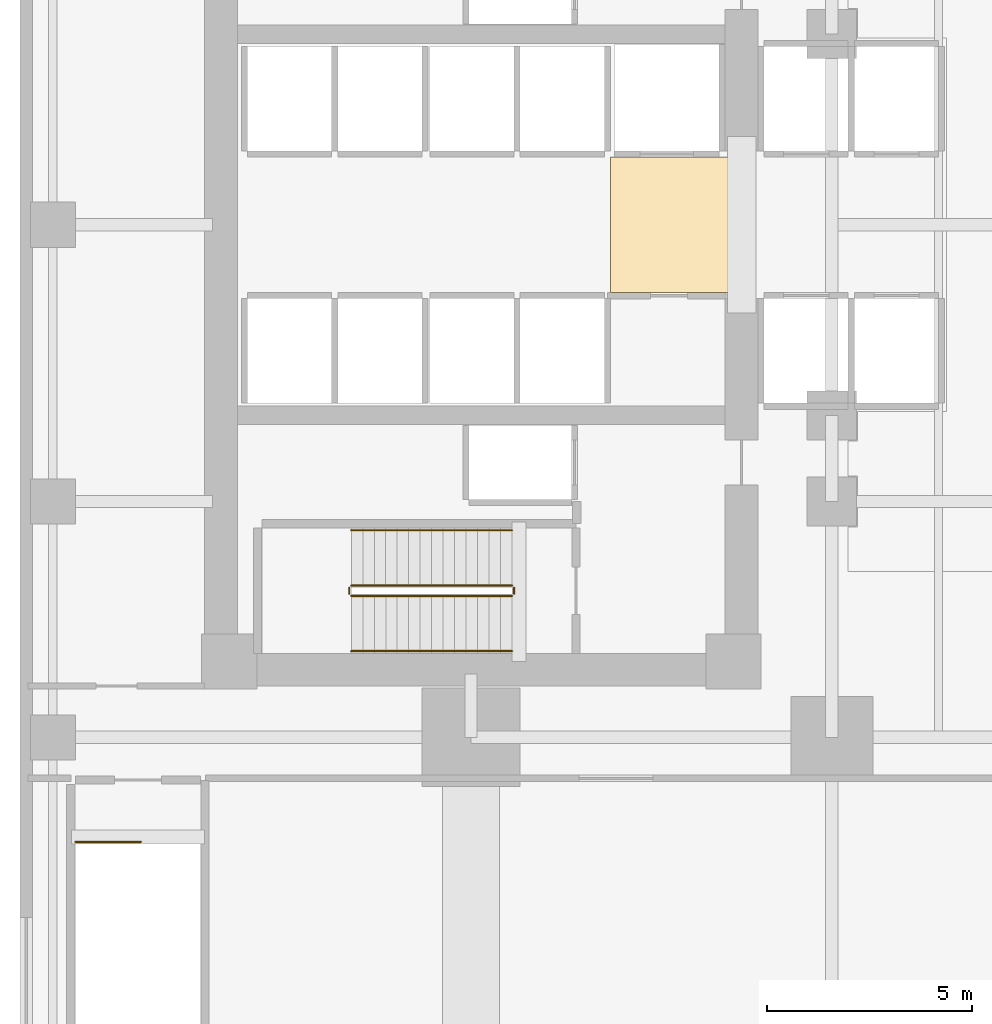
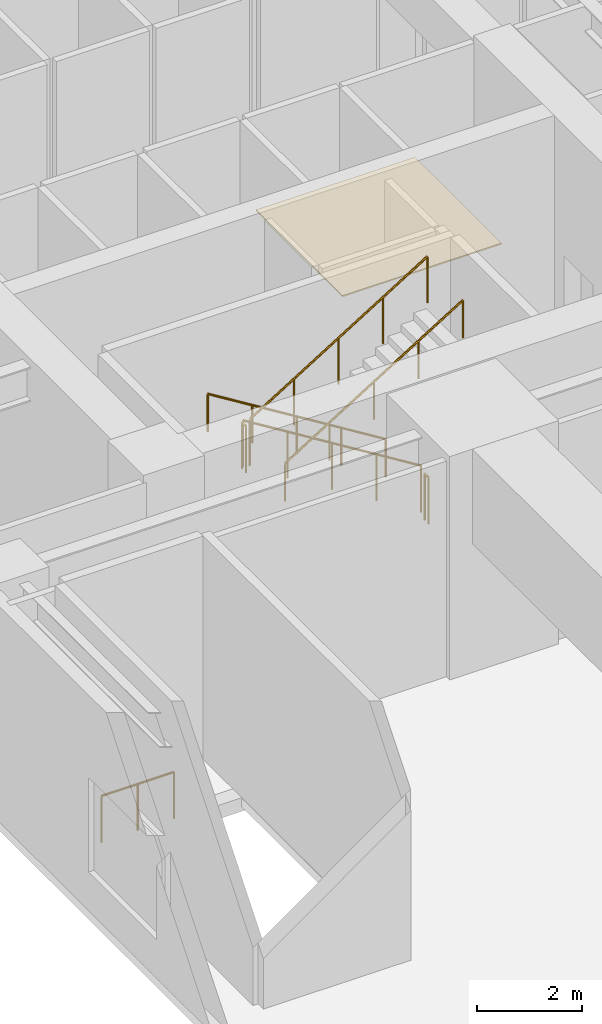
# One storey, part 11 of 14: 7 railings, 1 covering.
"""IFC4 building model written with IfcOpenShell, lengths in metres."""

from ifc_helpers import new_model, si_unit, direction, frame, origin, origin_2d, place, context, subcontext, project, spatial, polyline, circle, outline, extrude, material, layer, layer_set, type_object, element, save


model = new_model("IFC4")

# Units and contexts
model_context = context("Model", 3, precision=1e-05, world=origin(), true_north=direction((0.0, 1.0)))
body_context = subcontext(model_context, "Body", "Model", "MODEL_VIEW")
ifc_project = project(units=[si_unit("LENGTHUNIT", "METRE"), si_unit("AREAUNIT", "SQUARE_METRE"), si_unit("VOLUMEUNIT", "CUBIC_METRE"), si_unit("PLANEANGLEUNIT", "RADIAN"), si_unit("MASSUNIT", "GRAM", prefix="KILO")], contexts=[model_context])

# Site, building, storey
site_placement = place(None, origin())
site = spatial("IfcSite", under=ifc_project, at=site_placement, CompositionType="ELEMENT")
building_placement = place(site_placement, origin())
building = spatial("IfcBuilding", under=site, at=building_placement, Name="Kinhvarn Gate Tower", CompositionType="ELEMENT")
storey_placement = place(building_placement, frame((0.0, 0.0, 20.39990234375)))
storey = spatial("IfcBuildingStorey", under=building, at=storey_placement, Name="L04", CompositionType="ELEMENT", Elevation=20.39990234375)

# Covering
ifc_material_1 = material(Name="Honed granite architectural paving", Category="masonry")
ifc_layer = layer(ifc_material_1, 0.030029296875)
ifc_layer_set = layer_set([ifc_layer], Name="Honed granite architectural paving")
covering_type = type_object("IfcCoveringType", Name="COV-FLR-30", PredefinedType="FLOORING", material=ifc_layer_set)
covering_placement = place(storey_placement, origin())
element("IfcCovering", 1, at=covering_placement, inside=storey, type_object=covering_type, Name="Honed Granite Lift Lobby Flooring (L04)", PredefinedType="FLOORING", context=body_context, shape_type="SweptSolid", body=[
    extrude(outline(polyline([(14.39990234375, 23.60009765625), (14.39990234375, 26.89990234375), (17.89990234375, 26.89990234375), (17.89990234375, 23.60009765625), (14.39990234375, 23.60009765625)])), origin(), (0.0, 0.0, 1.0), 0.030029296875),
])

# Railings
ifc_material_2 = material(Name="Steel S355", Category="steel")
railing_type_1 = type_object("IfcRailingType", Name="RL-ST-GRD", PredefinedType="BALUSTRADE", material=ifc_material_2)
railing_1_placement = place(storey_placement, frame((12.0, 16.449951171875, 0.17333984375)))
element("IfcRailing", 2, at=railing_1_placement, inside=storey, type_object=railing_type_1, Name="L04 ST1 stair guard 1", PredefinedType="BALUSTRADE", context=body_context, shape_type="SweptSolid", body=[
    extrude(circle(Radius=0.02392578125, at=origin_2d()), frame((0.0, 0.0, 1.076171875), z_axis=(-0.850251603719, 0.0, 0.526376491091), x_axis=(0.0, -1.0, 0.0)), (0.0, 0.0, 1.0), 4.6103515625),
    extrude(circle(Radius=0.02099609375, at=origin_2d()), origin(), (0.0, 0.0, 1.0), 1.052001953125),
    extrude(circle(Radius=0.02099609375, at=origin_2d()), frame((-0.97998046875, 0.0, 0.606689453125)), (0.0, 0.0, 1.0), 1.052001953125),
    extrude(circle(Radius=0.02099609375, at=origin_2d()), frame((-1.9599609375, 0.0, 1.21337890625)), (0.0, 0.0, 1.0), 1.052001953125),
    extrude(circle(Radius=0.02099609375, at=origin_2d()), frame((-2.93994140625, 0.0, 1.820068359375)), (0.0, 0.0, 1.0), 1.052001953125),
    extrude(circle(Radius=0.02099609375, at=origin_2d()), frame((-3.919921875, 0.0, 2.4267578125)), (0.0, 0.0, 1.0), 1.052001953125),
])
railing_2_placement = place(storey_placement, frame((8.030029296875, 16.39990234375, 2.60009765625)))
element("IfcRailing", 3, at=railing_2_placement, inside=storey, type_object=railing_type_1, Name="L04 ST1 stair guard 2", PredefinedType="BALUSTRADE", context=body_context, shape_type="SweptSolid", body=[
    extrude(circle(Radius=0.02392578125, at=origin_2d()), frame((0.0, 0.0, 1.076171875), z_axis=(0.0, -1.0, 0.0), x_axis=(1.0, 0.0, 0.0)), (0.0, 0.0, 1.0), 0.14990234375),
    extrude(circle(Radius=0.02099609375, at=origin_2d()), origin(), (0.0, 0.0, 1.0), 1.052001953125),
    extrude(circle(Radius=0.02099609375, at=origin_2d()), frame((0.0, -0.14990234375, 0.0)), (0.0, 0.0, 1.0), 1.052001953125),
])
railing_3_placement = place(storey_placement, frame((8.080078125, 16.199951171875, 2.7734375)))
element("IfcRailing", 4, at=railing_3_placement, inside=storey, type_object=railing_type_1, Name="L04 ST1 stair guard 3", PredefinedType="BALUSTRADE", context=body_context, shape_type="SweptSolid", body=[
    extrude(circle(Radius=0.02392578125, at=origin_2d()), frame((0.0, 0.0, 1.076171875), z_axis=(0.850251603719, 0.0, 0.526376491091), x_axis=(0.0, 1.0, 0.0)), (0.0, 0.0, 1.0), 4.6103515625),
    extrude(circle(Radius=0.02099609375, at=origin_2d()), origin(), (0.0, 0.0, 1.0), 1.052001953125),
    extrude(circle(Radius=0.02099609375, at=origin_2d()), frame((0.97998046875, 0.0, 0.606689453125)), (0.0, 0.0, 1.0), 1.052001953125),
    extrude(circle(Radius=0.02099609375, at=origin_2d()), frame((1.9599609375, 0.0, 1.21337890625)), (0.0, 0.0, 1.0), 1.052001953125),
    extrude(circle(Radius=0.02099609375, at=origin_2d()), frame((2.93994140625, 0.0, 1.820068359375)), (0.0, 0.0, 1.0), 1.052001953125),
    extrude(circle(Radius=0.02099609375, at=origin_2d()), frame((3.919921875, 0.0, 2.4267578125)), (0.0, 0.0, 1.0), 1.052001953125),
])
railing_4_placement = place(storey_placement, frame((12.050048828125, 16.39990234375, 0.0)))
element("IfcRailing", 5, at=railing_4_placement, inside=storey, type_object=railing_type_1, Name="L04 ST1 stair guard 4", PredefinedType="BALUSTRADE", context=body_context, shape_type="SweptSolid", body=[
    extrude(circle(Radius=0.02392578125, at=origin_2d()), frame((0.0, 0.0, 1.076171875), z_axis=(0.0, -1.0, 0.0), x_axis=(1.0, 0.0, 0.0)), (0.0, 0.0, 1.0), 0.14990234375),
    extrude(circle(Radius=0.02099609375, at=origin_2d()), origin(), (0.0, 0.0, 1.0), 1.052001953125),
    extrude(circle(Radius=0.02099609375, at=origin_2d()), frame((0.0, -0.14990234375, 0.0)), (0.0, 0.0, 1.0), 1.052001953125),
])
railing_5_placement = place(storey_placement, frame((1.35009765625, 10.199951171875, 0.0)))
element("IfcRailing", 6, at=railing_5_placement, inside=storey, type_object=railing_type_1, Name="L04 ST3 top well guard 1", PredefinedType="BALUSTRADE", context=body_context, shape_type="SweptSolid", body=[
    extrude(circle(Radius=0.02392578125, at=origin_2d()), frame((0.0, 0.0, 1.076171875), z_axis=(1.0, 0.0, 0.0), x_axis=(0.0, 1.0, 0.0)), (0.0, 0.0, 1.0), 1.599853515625),
    extrude(circle(Radius=0.02099609375, at=origin_2d()), origin(), (0.0, 0.0, 1.0), 1.052001953125),
    extrude(circle(Radius=0.02099609375, at=origin_2d()), frame((0.7998046875, 0.0, 0.0)), (0.0, 0.0, 1.0), 1.052001953125),
    extrude(circle(Radius=0.02099609375, at=origin_2d()), frame((1.599853515625, 0.0, 0.0)), (0.0, 0.0, 1.0), 1.052001953125),
])
railing_type_2 = type_object("IfcRailingType", Name="RL-ST-HND", PredefinedType="HANDRAIL", material=ifc_material_2)
railing_6_placement = place(storey_placement, frame((12.0, 17.800048828125, 0.17333984375)))
element("IfcRailing", 7, at=railing_6_placement, inside=storey, type_object=railing_type_2, Name="L04 ST1 stair handrail 1", PredefinedType="HANDRAIL", context=body_context, shape_type="SweptSolid", body=[
    extrude(circle(Radius=0.02392578125, at=origin_2d()), frame((0.0, 0.0, 0.8759765625), z_axis=(-0.850251603719, 0.0, 0.526376491091), x_axis=(0.0, -1.0, 0.0)), (0.0, 0.0, 1.0), 4.6103515625),
    extrude(circle(Radius=0.02099609375, at=origin_2d()), origin(), (0.0, 0.0, 1.0), 0.851806640625),
    extrude(circle(Radius=0.02099609375, at=origin_2d()), frame((-0.97998046875, 0.0, 0.606689453125)), (0.0, 0.0, 1.0), 0.851806640625),
    extrude(circle(Radius=0.02099609375, at=origin_2d()), frame((-1.9599609375, 0.0, 1.21337890625)), (0.0, 0.0, 1.0), 0.851806640625),
    extrude(circle(Radius=0.02099609375, at=origin_2d()), frame((-2.93994140625, 0.0, 1.820068359375)), (0.0, 0.0, 1.0), 0.851806640625),
    extrude(circle(Radius=0.02099609375, at=origin_2d()), frame((-3.919921875, 0.0, 2.4267578125)), (0.0, 0.0, 1.0), 0.851806640625),
])
railing_7_placement = place(storey_placement, frame((8.080078125, 14.85009765625, 2.7734375)))
element("IfcRailing", 8, at=railing_7_placement, inside=storey, type_object=railing_type_2, Name="L04 ST1 stair handrail 2", PredefinedType="HANDRAIL", context=body_context, shape_type="SweptSolid", body=[
    extrude(circle(Radius=0.02392578125, at=origin_2d()), frame((0.0, 0.0, 0.8759765625), z_axis=(0.850251603719, 0.0, 0.526376491091), x_axis=(0.0, 1.0, 0.0)), (0.0, 0.0, 1.0), 4.6103515625),
    extrude(circle(Radius=0.02099609375, at=origin_2d()), origin(), (0.0, 0.0, 1.0), 0.851806640625),
    extrude(circle(Radius=0.02099609375, at=origin_2d()), frame((0.97998046875, 0.0, 0.606689453125)), (0.0, 0.0, 1.0), 0.851806640625),
    extrude(circle(Radius=0.02099609375, at=origin_2d()), frame((1.9599609375, 0.0, 1.21337890625)), (0.0, 0.0, 1.0), 0.851806640625),
    extrude(circle(Radius=0.02099609375, at=origin_2d()), frame((2.93994140625, 0.0, 1.820068359375)), (0.0, 0.0, 1.0), 0.851806640625),
    extrude(circle(Radius=0.02099609375, at=origin_2d()), frame((3.919921875, 0.0, 2.4267578125)), (0.0, 0.0, 1.0), 0.851806640625),
])

save(model, "model.ifc")
